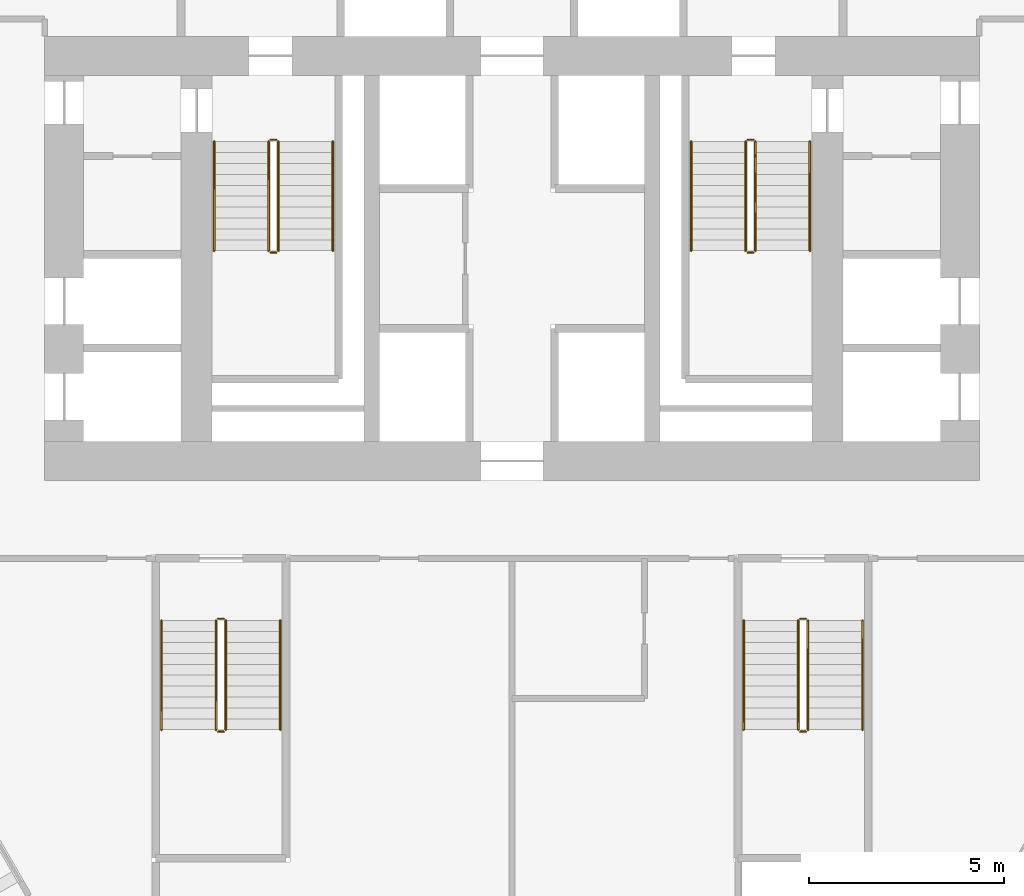
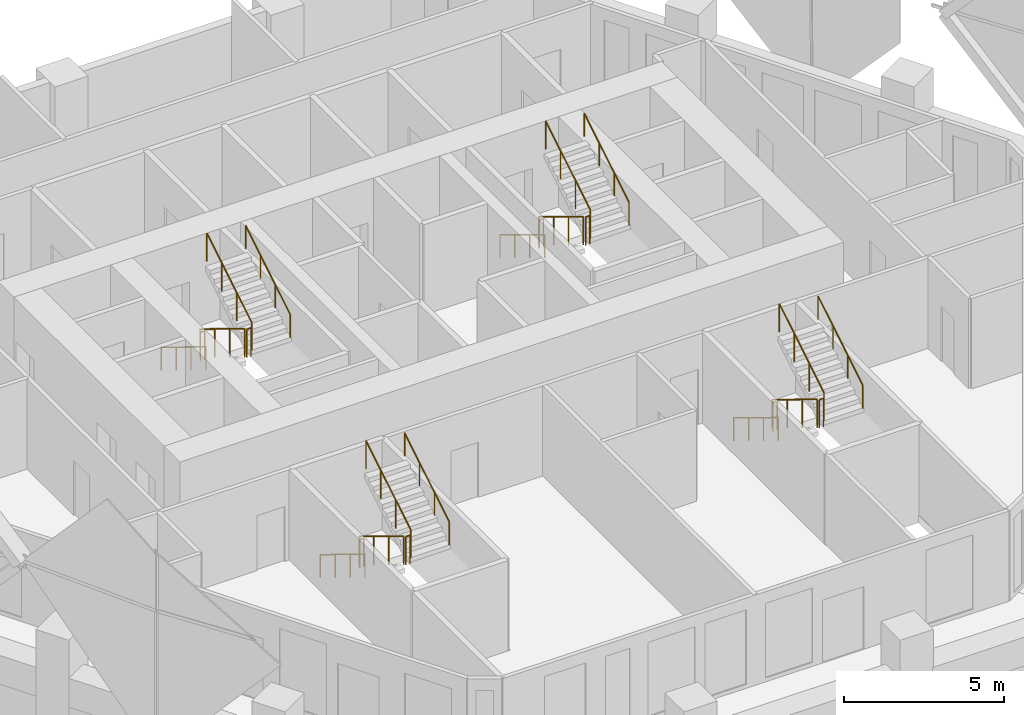
# One storey, part 16 of 16: 24 railings.
"""IFC4 building model written with IfcOpenShell, lengths in metres."""

from ifc_helpers import new_model, si_unit, direction, frame, origin, origin_2d, place, context, subcontext, project, spatial, circle, extrude, material, type_object, element, save


model = new_model("IFC4")

# Units and contexts
model_context = context("Model", 3, precision=1e-05, world=origin(), true_north=direction((0.0, 1.0)))
body_context = subcontext(model_context, "Body", "Model", "MODEL_VIEW")
ifc_project = project(units=[si_unit("LENGTHUNIT", "METRE"), si_unit("AREAUNIT", "SQUARE_METRE"), si_unit("VOLUMEUNIT", "CUBIC_METRE"), si_unit("PLANEANGLEUNIT", "RADIAN"), si_unit("MASSUNIT", "GRAM", prefix="KILO")], contexts=[model_context])

# Site, building, storey
site_placement = place(None, origin())
site = spatial("IfcSite", under=ifc_project, at=site_placement, CompositionType="ELEMENT")
building_placement = place(site_placement, origin())
building = spatial("IfcBuilding", under=site, at=building_placement, Name="Ostrander Bayou Hotel Tower", CompositionType="ELEMENT")
storey_placement = place(building_placement, frame((0.0, 0.0, 85.5)))
storey = spatial("IfcBuildingStorey", under=building, at=storey_placement, Name="L21", CompositionType="ELEMENT", Elevation=85.5)

# Railings
ifc_material_1 = material(Name="Steel ASTM A500 Gr C", Category="steel")
railing_type_1 = type_object("IfcRailingType", Name="GR1 stair guard 1100 mm steel", PredefinedType="GUARDRAIL", material=ifc_material_1)
railing_1_placement = place(storey_placement, frame((-6.25, 7.0, 0.17041015625)))
element("IfcRailing", 1, at=railing_1_placement, inside=storey, type_object=railing_type_1, Name="L21 STA stair guard 1", PredefinedType="GUARDRAIL", context=body_context, shape_type="SweptSolid", body=[
    extrude(circle(Radius=0.02392578125, at=origin_2d()), frame((0.0, 0.0, 1.076171875), z_axis=(0.0, -0.854169791009, 0.51999420009), x_axis=(1.0, 0.0, 0.0)), (0.0, 0.0, 1.0), 3.278076171875),
    extrude(circle(Radius=0.02099609375, at=origin_2d()), origin(), (0.0, 0.0, 1.0), 1.052001953125),
    extrude(circle(Radius=0.02099609375, at=origin_2d()), frame((0.0, -0.933349609375, 0.568115234375)), (0.0, 0.0, 1.0), 1.052001953125),
    extrude(circle(Radius=0.02099609375, at=origin_2d()), frame((0.0, -1.86669921875, 1.136474609375)), (0.0, 0.0, 1.0), 1.052001953125),
    extrude(circle(Radius=0.02099609375, at=origin_2d()), frame((0.0, -2.800048828125, 1.70458984375)), (0.0, 0.0, 1.0), 1.052001953125),
])
railing_2_placement = place(storey_placement, frame((-6.199951171875, 4.14990234375, 1.875)))
element("IfcRailing", 2, at=railing_2_placement, inside=storey, type_object=railing_type_1, Name="L21 STA stair guard 2", PredefinedType="GUARDRAIL", context=body_context, shape_type="SweptSolid", body=[
    extrude(circle(Radius=0.02392578125, at=origin_2d()), frame((0.0, 0.0, 1.076171875), z_axis=(1.0, 0.0, 0.0), x_axis=(0.0, 1.0, 0.0)), (0.0, 0.0, 1.0), 0.14990234375),
    extrude(circle(Radius=0.02099609375, at=origin_2d()), origin(), (0.0, 0.0, 1.0), 1.052001953125),
    extrude(circle(Radius=0.02099609375, at=origin_2d()), frame((0.14990234375, 0.0, 0.0)), (0.0, 0.0, 1.0), 1.052001953125),
])
railing_3_placement = place(storey_placement, frame((-6.0, 4.199951171875, 2.04541015625)))
element("IfcRailing", 3, at=railing_3_placement, inside=storey, type_object=railing_type_1, Name="L21 STA stair guard 3", PredefinedType="GUARDRAIL", context=body_context, shape_type="SweptSolid", body=[
    extrude(circle(Radius=0.02392578125, at=origin_2d()), frame((0.0, 0.0, 1.076171875), z_axis=(0.0, 0.854169791009, 0.51999420009), x_axis=(-1.0, 0.0, 0.0)), (0.0, 0.0, 1.0), 3.278076171875),
    extrude(circle(Radius=0.02099609375, at=origin_2d()), origin(), (0.0, 0.0, 1.0), 1.052001953125),
    extrude(circle(Radius=0.02099609375, at=origin_2d()), frame((0.0, 0.933349609375, 0.568115234375)), (0.0, 0.0, 1.0), 1.052001953125),
    extrude(circle(Radius=0.02099609375, at=origin_2d()), frame((0.0, 1.86669921875, 1.136474609375)), (0.0, 0.0, 1.0), 1.052001953125),
    extrude(circle(Radius=0.02099609375, at=origin_2d()), frame((0.0, 2.800048828125, 1.70458984375)), (0.0, 0.0, 1.0), 1.052001953125),
])
railing_4_placement = place(storey_placement, frame((-6.199951171875, 7.050048828125, 0.0)))
element("IfcRailing", 4, at=railing_4_placement, inside=storey, type_object=railing_type_1, Name="L21 STA stair guard 4", PredefinedType="GUARDRAIL", context=body_context, shape_type="SweptSolid", body=[
    extrude(circle(Radius=0.02392578125, at=origin_2d()), frame((0.0, 0.0, 1.076171875), z_axis=(1.0, 0.0, 0.0), x_axis=(0.0, 1.0, 0.0)), (0.0, 0.0, 1.0), 0.14990234375),
    extrude(circle(Radius=0.02099609375, at=origin_2d()), origin(), (0.0, 0.0, 1.0), 1.052001953125),
    extrude(circle(Radius=0.02099609375, at=origin_2d()), frame((0.14990234375, 0.0, 0.0)), (0.0, 0.0, 1.0), 1.052001953125),
])
railing_5_placement = place(storey_placement, frame((6.0, 7.0, 0.17041015625)))
element("IfcRailing", 5, at=railing_5_placement, inside=storey, type_object=railing_type_1, Name="L21 STB stair guard 1", PredefinedType="GUARDRAIL", context=body_context, shape_type="SweptSolid", body=[
    extrude(circle(Radius=0.02392578125, at=origin_2d()), frame((0.0, 0.0, 1.076171875), z_axis=(0.0, -0.854169791009, 0.51999420009), x_axis=(1.0, 0.0, 0.0)), (0.0, 0.0, 1.0), 3.278076171875),
    extrude(circle(Radius=0.02099609375, at=origin_2d()), origin(), (0.0, 0.0, 1.0), 1.052001953125),
    extrude(circle(Radius=0.02099609375, at=origin_2d()), frame((0.0, -0.933349609375, 0.568115234375)), (0.0, 0.0, 1.0), 1.052001953125),
    extrude(circle(Radius=0.02099609375, at=origin_2d()), frame((0.0, -1.86669921875, 1.136474609375)), (0.0, 0.0, 1.0), 1.052001953125),
    extrude(circle(Radius=0.02099609375, at=origin_2d()), frame((0.0, -2.800048828125, 1.70458984375)), (0.0, 0.0, 1.0), 1.052001953125),
])
railing_6_placement = place(storey_placement, frame((6.050048828125, 4.14990234375, 1.875)))
element("IfcRailing", 6, at=railing_6_placement, inside=storey, type_object=railing_type_1, Name="L21 STB stair guard 2", PredefinedType="GUARDRAIL", context=body_context, shape_type="SweptSolid", body=[
    extrude(circle(Radius=0.02392578125, at=origin_2d()), frame((0.0, 0.0, 1.076171875), z_axis=(1.0, 0.0, 0.0), x_axis=(0.0, 1.0, 0.0)), (0.0, 0.0, 1.0), 0.14990234375),
    extrude(circle(Radius=0.02099609375, at=origin_2d()), origin(), (0.0, 0.0, 1.0), 1.052001953125),
    extrude(circle(Radius=0.02099609375, at=origin_2d()), frame((0.14990234375, 0.0, 0.0)), (0.0, 0.0, 1.0), 1.052001953125),
])
railing_7_placement = place(storey_placement, frame((6.25, 4.199951171875, 2.04541015625)))
element("IfcRailing", 7, at=railing_7_placement, inside=storey, type_object=railing_type_1, Name="L21 STB stair guard 3", PredefinedType="GUARDRAIL", context=body_context, shape_type="SweptSolid", body=[
    extrude(circle(Radius=0.02392578125, at=origin_2d()), frame((0.0, 0.0, 1.076171875), z_axis=(0.0, 0.854169791009, 0.51999420009), x_axis=(-1.0, 0.0, 0.0)), (0.0, 0.0, 1.0), 3.278076171875),
    extrude(circle(Radius=0.02099609375, at=origin_2d()), origin(), (0.0, 0.0, 1.0), 1.052001953125),
    extrude(circle(Radius=0.02099609375, at=origin_2d()), frame((0.0, 0.933349609375, 0.568115234375)), (0.0, 0.0, 1.0), 1.052001953125),
    extrude(circle(Radius=0.02099609375, at=origin_2d()), frame((0.0, 1.86669921875, 1.136474609375)), (0.0, 0.0, 1.0), 1.052001953125),
    extrude(circle(Radius=0.02099609375, at=origin_2d()), frame((0.0, 2.800048828125, 1.70458984375)), (0.0, 0.0, 1.0), 1.052001953125),
])
railing_8_placement = place(storey_placement, frame((6.050048828125, 7.050048828125, 0.0)))
element("IfcRailing", 8, at=railing_8_placement, inside=storey, type_object=railing_type_1, Name="L21 STB stair guard 4", PredefinedType="GUARDRAIL", context=body_context, shape_type="SweptSolid", body=[
    extrude(circle(Radius=0.02392578125, at=origin_2d()), frame((0.0, 0.0, 1.076171875), z_axis=(1.0, 0.0, 0.0), x_axis=(0.0, 1.0, 0.0)), (0.0, 0.0, 1.0), 0.14990234375),
    extrude(circle(Radius=0.02099609375, at=origin_2d()), origin(), (0.0, 0.0, 1.0), 1.052001953125),
    extrude(circle(Radius=0.02099609375, at=origin_2d()), frame((0.14990234375, 0.0, 0.0)), (0.0, 0.0, 1.0), 1.052001953125),
])
railing_9_placement = place(storey_placement, frame((7.35009765625, -5.300048828125, 0.17041015625)))
element("IfcRailing", 9, at=railing_9_placement, inside=storey, type_object=railing_type_1, Name="L21 STC stair guard 1", PredefinedType="GUARDRAIL", context=body_context, shape_type="SweptSolid", body=[
    extrude(circle(Radius=0.02392578125, at=origin_2d()), frame((0.0, 0.0, 1.076171875), z_axis=(0.0, -0.854169791009, 0.51999420009), x_axis=(1.0, 0.0, 0.0)), (0.0, 0.0, 1.0), 3.278076171875),
    extrude(circle(Radius=0.02099609375, at=origin_2d()), origin(), (0.0, 0.0, 1.0), 1.052001953125),
    extrude(circle(Radius=0.02099609375, at=origin_2d()), frame((0.0, -0.933349609375, 0.568115234375)), (0.0, 0.0, 1.0), 1.052001953125),
    extrude(circle(Radius=0.02099609375, at=origin_2d()), frame((0.0, -1.86669921875, 1.136474609375)), (0.0, 0.0, 1.0), 1.052001953125),
    extrude(circle(Radius=0.02099609375, at=origin_2d()), frame((0.0, -2.800048828125, 1.70458984375)), (0.0, 0.0, 1.0), 1.052001953125),
])
railing_10_placement = place(storey_placement, frame((7.39990234375, -8.14990234375, 1.875)))
element("IfcRailing", 10, at=railing_10_placement, inside=storey, type_object=railing_type_1, Name="L21 STC stair guard 2", PredefinedType="GUARDRAIL", context=body_context, shape_type="SweptSolid", body=[
    extrude(circle(Radius=0.02392578125, at=origin_2d()), frame((0.0, 0.0, 1.076171875), z_axis=(1.0, 0.0, 0.0), x_axis=(0.0, 1.0, 0.0)), (0.0, 0.0, 1.0), 0.150146484375),
    extrude(circle(Radius=0.02099609375, at=origin_2d()), origin(), (0.0, 0.0, 1.0), 1.052001953125),
    extrude(circle(Radius=0.02099609375, at=origin_2d()), frame((0.150146484375, 0.0, 0.0)), (0.0, 0.0, 1.0), 1.052001953125),
])
railing_11_placement = place(storey_placement, frame((7.60009765625, -8.10009765625, 2.04541015625)))
element("IfcRailing", 11, at=railing_11_placement, inside=storey, type_object=railing_type_1, Name="L21 STC stair guard 3", PredefinedType="GUARDRAIL", context=body_context, shape_type="SweptSolid", body=[
    extrude(circle(Radius=0.02392578125, at=origin_2d()), frame((0.0, 0.0, 1.076171875), z_axis=(0.0, 0.854169791009, 0.51999420009), x_axis=(-1.0, 0.0, 0.0)), (0.0, 0.0, 1.0), 3.278076171875),
    extrude(circle(Radius=0.02099609375, at=origin_2d()), origin(), (0.0, 0.0, 1.0), 1.052001953125),
    extrude(circle(Radius=0.02099609375, at=origin_2d()), frame((0.0, 0.933349609375, 0.568115234375)), (0.0, 0.0, 1.0), 1.052001953125),
    extrude(circle(Radius=0.02099609375, at=origin_2d()), frame((0.0, 1.86669921875, 1.136474609375)), (0.0, 0.0, 1.0), 1.052001953125),
    extrude(circle(Radius=0.02099609375, at=origin_2d()), frame((0.0, 2.800048828125, 1.70458984375)), (0.0, 0.0, 1.0), 1.052001953125),
])
railing_12_placement = place(storey_placement, frame((7.39990234375, -5.25, 0.0)))
element("IfcRailing", 12, at=railing_12_placement, inside=storey, type_object=railing_type_1, Name="L21 STC stair guard 4", PredefinedType="GUARDRAIL", context=body_context, shape_type="SweptSolid", body=[
    extrude(circle(Radius=0.02392578125, at=origin_2d()), frame((0.0, 0.0, 1.076171875), z_axis=(1.0, 0.0, 0.0), x_axis=(0.0, 1.0, 0.0)), (0.0, 0.0, 1.0), 0.150146484375),
    extrude(circle(Radius=0.02099609375, at=origin_2d()), origin(), (0.0, 0.0, 1.0), 1.052001953125),
    extrude(circle(Radius=0.02099609375, at=origin_2d()), frame((0.150146484375, 0.0, 0.0)), (0.0, 0.0, 1.0), 1.052001953125),
])
railing_13_placement = place(storey_placement, frame((-7.60009765625, -5.300048828125, 0.17041015625)))
element("IfcRailing", 13, at=railing_13_placement, inside=storey, type_object=railing_type_1, Name="L21 STD stair guard 1", PredefinedType="GUARDRAIL", context=body_context, shape_type="SweptSolid", body=[
    extrude(circle(Radius=0.02392578125, at=origin_2d()), frame((0.0, 0.0, 1.076171875), z_axis=(0.0, -0.854169791009, 0.51999420009), x_axis=(1.0, 0.0, 0.0)), (0.0, 0.0, 1.0), 3.278076171875),
    extrude(circle(Radius=0.02099609375, at=origin_2d()), origin(), (0.0, 0.0, 1.0), 1.052001953125),
    extrude(circle(Radius=0.02099609375, at=origin_2d()), frame((0.0, -0.933349609375, 0.568115234375)), (0.0, 0.0, 1.0), 1.052001953125),
    extrude(circle(Radius=0.02099609375, at=origin_2d()), frame((0.0, -1.86669921875, 1.136474609375)), (0.0, 0.0, 1.0), 1.052001953125),
    extrude(circle(Radius=0.02099609375, at=origin_2d()), frame((0.0, -2.800048828125, 1.70458984375)), (0.0, 0.0, 1.0), 1.052001953125),
])
railing_14_placement = place(storey_placement, frame((-7.550048828125, -8.14990234375, 1.875)))
element("IfcRailing", 14, at=railing_14_placement, inside=storey, type_object=railing_type_1, Name="L21 STD stair guard 2", PredefinedType="GUARDRAIL", context=body_context, shape_type="SweptSolid", body=[
    extrude(circle(Radius=0.02392578125, at=origin_2d()), frame((0.0, 0.0, 1.076171875), z_axis=(1.0, 0.0, 0.0), x_axis=(0.0, 1.0, 0.0)), (0.0, 0.0, 1.0), 0.150146484375),
    extrude(circle(Radius=0.02099609375, at=origin_2d()), origin(), (0.0, 0.0, 1.0), 1.052001953125),
    extrude(circle(Radius=0.02099609375, at=origin_2d()), frame((0.150146484375, 0.0, 0.0)), (0.0, 0.0, 1.0), 1.052001953125),
])
railing_15_placement = place(storey_placement, frame((-7.35009765625, -8.10009765625, 2.04541015625)))
element("IfcRailing", 15, at=railing_15_placement, inside=storey, type_object=railing_type_1, Name="L21 STD stair guard 3", PredefinedType="GUARDRAIL", context=body_context, shape_type="SweptSolid", body=[
    extrude(circle(Radius=0.02392578125, at=origin_2d()), frame((0.0, 0.0, 1.076171875), z_axis=(0.0, 0.854169791009, 0.51999420009), x_axis=(-1.0, 0.0, 0.0)), (0.0, 0.0, 1.0), 3.278076171875),
    extrude(circle(Radius=0.02099609375, at=origin_2d()), origin(), (0.0, 0.0, 1.0), 1.052001953125),
    extrude(circle(Radius=0.02099609375, at=origin_2d()), frame((0.0, 0.933349609375, 0.568115234375)), (0.0, 0.0, 1.0), 1.052001953125),
    extrude(circle(Radius=0.02099609375, at=origin_2d()), frame((0.0, 1.86669921875, 1.136474609375)), (0.0, 0.0, 1.0), 1.052001953125),
    extrude(circle(Radius=0.02099609375, at=origin_2d()), frame((0.0, 2.800048828125, 1.70458984375)), (0.0, 0.0, 1.0), 1.052001953125),
])
railing_16_placement = place(storey_placement, frame((-7.550048828125, -5.25, 0.0)))
element("IfcRailing", 16, at=railing_16_placement, inside=storey, type_object=railing_type_1, Name="L21 STD stair guard 4", PredefinedType="GUARDRAIL", context=body_context, shape_type="SweptSolid", body=[
    extrude(circle(Radius=0.02392578125, at=origin_2d()), frame((0.0, 0.0, 1.076171875), z_axis=(1.0, 0.0, 0.0), x_axis=(0.0, 1.0, 0.0)), (0.0, 0.0, 1.0), 0.150146484375),
    extrude(circle(Radius=0.02099609375, at=origin_2d()), origin(), (0.0, 0.0, 1.0), 1.052001953125),
    extrude(circle(Radius=0.02099609375, at=origin_2d()), frame((0.150146484375, 0.0, 0.0)), (0.0, 0.0, 1.0), 1.052001953125),
])
ifc_material_2 = material(Name="Steel ASTM A500 Gr C", Category="steel")
railing_type_2 = type_object("IfcRailingType", Name="HR1 stair handrail 900 mm steel", PredefinedType="HANDRAIL", material=ifc_material_2)
railing_17_placement = place(storey_placement, frame((-7.64990234375, 7.0, 0.17041015625)))
element("IfcRailing", 17, at=railing_17_placement, inside=storey, type_object=railing_type_2, Name="L21 STA stair handrail 1", PredefinedType="HANDRAIL", context=body_context, shape_type="SweptSolid", body=[
    extrude(circle(Radius=0.02392578125, at=origin_2d()), frame((0.0, 0.0, 0.8759765625), z_axis=(0.0, -0.854169791009, 0.51999420009), x_axis=(1.0, 0.0, 0.0)), (0.0, 0.0, 1.0), 3.278076171875),
    extrude(circle(Radius=0.02099609375, at=origin_2d()), origin(), (0.0, 0.0, 1.0), 0.851806640625),
    extrude(circle(Radius=0.02099609375, at=origin_2d()), frame((0.0, -0.933349609375, 0.568115234375)), (0.0, 0.0, 1.0), 0.851806640625),
    extrude(circle(Radius=0.02099609375, at=origin_2d()), frame((0.0, -1.86669921875, 1.136474609375)), (0.0, 0.0, 1.0), 0.851806640625),
    extrude(circle(Radius=0.02099609375, at=origin_2d()), frame((0.0, -2.800048828125, 1.70458984375)), (0.0, 0.0, 1.0), 0.851806640625),
])
railing_18_placement = place(storey_placement, frame((-4.60009765625, 4.199951171875, 2.04541015625)))
element("IfcRailing", 18, at=railing_18_placement, inside=storey, type_object=railing_type_2, Name="L21 STA stair handrail 2", PredefinedType="HANDRAIL", context=body_context, shape_type="SweptSolid", body=[
    extrude(circle(Radius=0.02392578125, at=origin_2d()), frame((0.0, 0.0, 0.8759765625), z_axis=(0.0, 0.854169791009, 0.51999420009), x_axis=(-1.0, 0.0, 0.0)), (0.0, 0.0, 1.0), 3.278076171875),
    extrude(circle(Radius=0.02099609375, at=origin_2d()), origin(), (0.0, 0.0, 1.0), 0.851806640625),
    extrude(circle(Radius=0.02099609375, at=origin_2d()), frame((0.0, 0.933349609375, 0.568115234375)), (0.0, 0.0, 1.0), 0.851806640625),
    extrude(circle(Radius=0.02099609375, at=origin_2d()), frame((0.0, 1.86669921875, 1.136474609375)), (0.0, 0.0, 1.0), 0.851806640625),
    extrude(circle(Radius=0.02099609375, at=origin_2d()), frame((0.0, 2.800048828125, 1.70458984375)), (0.0, 0.0, 1.0), 0.851806640625),
])
railing_19_placement = place(storey_placement, frame((4.60009765625, 7.0, 0.17041015625)))
element("IfcRailing", 19, at=railing_19_placement, inside=storey, type_object=railing_type_2, Name="L21 STB stair handrail 1", PredefinedType="HANDRAIL", context=body_context, shape_type="SweptSolid", body=[
    extrude(circle(Radius=0.02392578125, at=origin_2d()), frame((0.0, 0.0, 0.8759765625), z_axis=(0.0, -0.854169791009, 0.51999420009), x_axis=(1.0, 0.0, 0.0)), (0.0, 0.0, 1.0), 3.278076171875),
    extrude(circle(Radius=0.02099609375, at=origin_2d()), origin(), (0.0, 0.0, 1.0), 0.851806640625),
    extrude(circle(Radius=0.02099609375, at=origin_2d()), frame((0.0, -0.933349609375, 0.568115234375)), (0.0, 0.0, 1.0), 0.851806640625),
    extrude(circle(Radius=0.02099609375, at=origin_2d()), frame((0.0, -1.86669921875, 1.136474609375)), (0.0, 0.0, 1.0), 0.851806640625),
    extrude(circle(Radius=0.02099609375, at=origin_2d()), frame((0.0, -2.800048828125, 1.70458984375)), (0.0, 0.0, 1.0), 0.851806640625),
])
railing_20_placement = place(storey_placement, frame((7.64990234375, 4.199951171875, 2.04541015625)))
element("IfcRailing", 20, at=railing_20_placement, inside=storey, type_object=railing_type_2, Name="L21 STB stair handrail 2", PredefinedType="HANDRAIL", context=body_context, shape_type="SweptSolid", body=[
    extrude(circle(Radius=0.02392578125, at=origin_2d()), frame((0.0, 0.0, 0.8759765625), z_axis=(0.0, 0.854169791009, 0.51999420009), x_axis=(-1.0, 0.0, 0.0)), (0.0, 0.0, 1.0), 3.278076171875),
    extrude(circle(Radius=0.02099609375, at=origin_2d()), origin(), (0.0, 0.0, 1.0), 0.851806640625),
    extrude(circle(Radius=0.02099609375, at=origin_2d()), frame((0.0, 0.933349609375, 0.568115234375)), (0.0, 0.0, 1.0), 0.851806640625),
    extrude(circle(Radius=0.02099609375, at=origin_2d()), frame((0.0, 1.86669921875, 1.136474609375)), (0.0, 0.0, 1.0), 0.851806640625),
    extrude(circle(Radius=0.02099609375, at=origin_2d()), frame((0.0, 2.800048828125, 1.70458984375)), (0.0, 0.0, 1.0), 0.851806640625),
])
railing_21_placement = place(storey_placement, frame((5.949951171875, -5.300048828125, 0.17041015625)))
element("IfcRailing", 21, at=railing_21_placement, inside=storey, type_object=railing_type_2, Name="L21 STC stair handrail 1", PredefinedType="HANDRAIL", context=body_context, shape_type="SweptSolid", body=[
    extrude(circle(Radius=0.02392578125, at=origin_2d()), frame((0.0, 0.0, 0.8759765625), z_axis=(0.0, -0.854169791009, 0.51999420009), x_axis=(1.0, 0.0, 0.0)), (0.0, 0.0, 1.0), 3.278076171875),
    extrude(circle(Radius=0.02099609375, at=origin_2d()), origin(), (0.0, 0.0, 1.0), 0.851806640625),
    extrude(circle(Radius=0.02099609375, at=origin_2d()), frame((0.0, -0.933349609375, 0.568115234375)), (0.0, 0.0, 1.0), 0.851806640625),
    extrude(circle(Radius=0.02099609375, at=origin_2d()), frame((0.0, -1.86669921875, 1.136474609375)), (0.0, 0.0, 1.0), 0.851806640625),
    extrude(circle(Radius=0.02099609375, at=origin_2d()), frame((0.0, -2.800048828125, 1.70458984375)), (0.0, 0.0, 1.0), 0.851806640625),
])
railing_22_placement = place(storey_placement, frame((9.0, -8.10009765625, 2.04541015625)))
element("IfcRailing", 22, at=railing_22_placement, inside=storey, type_object=railing_type_2, Name="L21 STC stair handrail 2", PredefinedType="HANDRAIL", context=body_context, shape_type="SweptSolid", body=[
    extrude(circle(Radius=0.02392578125, at=origin_2d()), frame((0.0, 0.0, 0.8759765625), z_axis=(0.0, 0.854169791009, 0.51999420009), x_axis=(-1.0, 0.0, 0.0)), (0.0, 0.0, 1.0), 3.278076171875),
    extrude(circle(Radius=0.02099609375, at=origin_2d()), origin(), (0.0, 0.0, 1.0), 0.851806640625),
    extrude(circle(Radius=0.02099609375, at=origin_2d()), frame((0.0, 0.933349609375, 0.568115234375)), (0.0, 0.0, 1.0), 0.851806640625),
    extrude(circle(Radius=0.02099609375, at=origin_2d()), frame((0.0, 1.86669921875, 1.136474609375)), (0.0, 0.0, 1.0), 0.851806640625),
    extrude(circle(Radius=0.02099609375, at=origin_2d()), frame((0.0, 2.800048828125, 1.70458984375)), (0.0, 0.0, 1.0), 0.851806640625),
])
railing_23_placement = place(storey_placement, frame((-9.0, -5.300048828125, 0.17041015625)))
element("IfcRailing", 23, at=railing_23_placement, inside=storey, type_object=railing_type_2, Name="L21 STD stair handrail 1", PredefinedType="HANDRAIL", context=body_context, shape_type="SweptSolid", body=[
    extrude(circle(Radius=0.02392578125, at=origin_2d()), frame((0.0, 0.0, 0.8759765625), z_axis=(0.0, -0.854169791009, 0.51999420009), x_axis=(1.0, 0.0, 0.0)), (0.0, 0.0, 1.0), 3.278076171875),
    extrude(circle(Radius=0.02099609375, at=origin_2d()), origin(), (0.0, 0.0, 1.0), 0.851806640625),
    extrude(circle(Radius=0.02099609375, at=origin_2d()), frame((0.0, -0.933349609375, 0.568115234375)), (0.0, 0.0, 1.0), 0.851806640625),
    extrude(circle(Radius=0.02099609375, at=origin_2d()), frame((0.0, -1.86669921875, 1.136474609375)), (0.0, 0.0, 1.0), 0.851806640625),
    extrude(circle(Radius=0.02099609375, at=origin_2d()), frame((0.0, -2.800048828125, 1.70458984375)), (0.0, 0.0, 1.0), 0.851806640625),
])
railing_24_placement = place(storey_placement, frame((-5.949951171875, -8.10009765625, 2.04541015625)))
element("IfcRailing", 24, at=railing_24_placement, inside=storey, type_object=railing_type_2, Name="L21 STD stair handrail 2", PredefinedType="HANDRAIL", context=body_context, shape_type="SweptSolid", body=[
    extrude(circle(Radius=0.02392578125, at=origin_2d()), frame((0.0, 0.0, 0.8759765625), z_axis=(0.0, 0.854169791009, 0.51999420009), x_axis=(-1.0, 0.0, 0.0)), (0.0, 0.0, 1.0), 3.278076171875),
    extrude(circle(Radius=0.02099609375, at=origin_2d()), origin(), (0.0, 0.0, 1.0), 0.851806640625),
    extrude(circle(Radius=0.02099609375, at=origin_2d()), frame((0.0, 0.933349609375, 0.568115234375)), (0.0, 0.0, 1.0), 0.851806640625),
    extrude(circle(Radius=0.02099609375, at=origin_2d()), frame((0.0, 1.86669921875, 1.136474609375)), (0.0, 0.0, 1.0), 0.851806640625),
    extrude(circle(Radius=0.02099609375, at=origin_2d()), frame((0.0, 2.800048828125, 1.70458984375)), (0.0, 0.0, 1.0), 0.851806640625),
])

save(model, "model.ifc")
